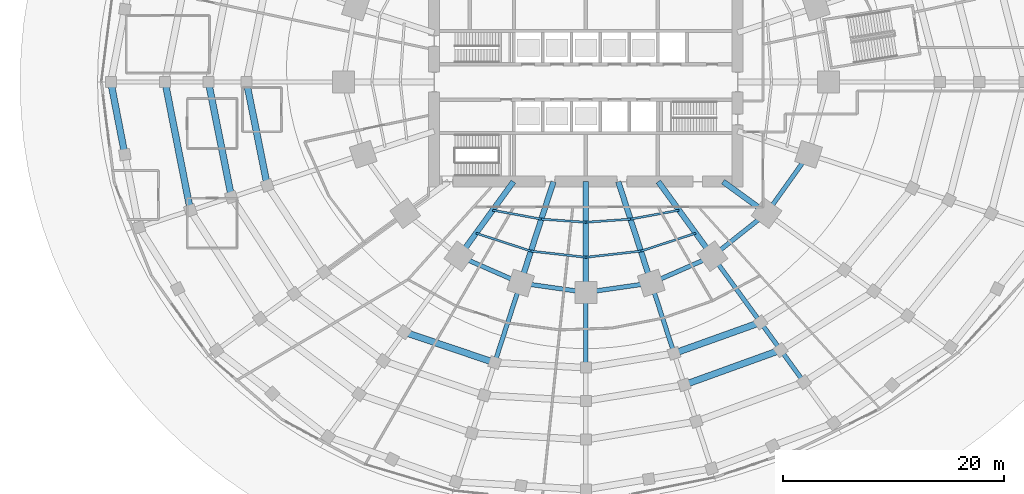
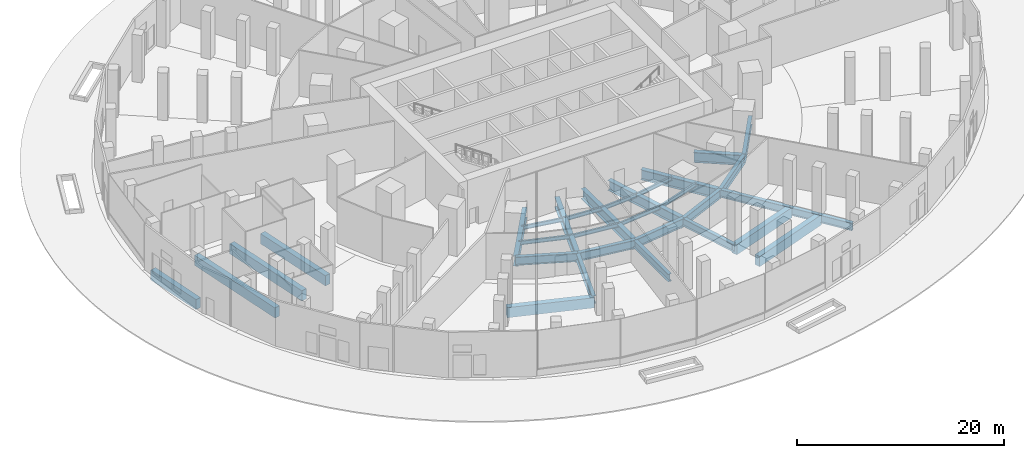
# One storey, part 5 of 23: 33 beams.
"""IFC4 building model written with IfcOpenShell, lengths in metres."""

import ifcopenshell
import ifcopenshell.guid

model = None  # the IFC model being written
_history = None  # IfcOwnerHistory: only IFC2X3 demands one
_inside = {}  # id of a spatial element -> (the spatial element, [elements in it])
_under = {}  # id of a project, library or spatial element -> (it, [spatial elements below it])
_declared = {}  # id of a project -> (the project, [libraries it declares])
_typed = {}  # id of a type object -> (the type object, [elements of that type])
_made_of = {}  # id of a material, layer set ... -> (it, [elements and type objects made of it])


def new_model(schema):
    """Start an empty IFC model of exactly this schema.

    Asked for "IFC4X3", IfcOpenShell would pick the latest addendum, in which some entities
    have other attributes; the version numbers below select the first issue.
    IFC2X3 requires an IfcOwnerHistory on every rooted entity: one is made here for all.
    """
    global model, _history
    if schema == "IFC4X3":
        model = ifcopenshell.file(schema_version=(4, 3, 0, 0))
    else:
        model = ifcopenshell.file(schema=schema)
    _inside.clear()
    _under.clear()
    _declared.clear()
    _typed.clear()
    _made_of.clear()
    _history = None
    if model.schema == "IFC2X3":
        org = make("IfcOrganization", Name="unknown")
        user = make(
            "IfcPersonAndOrganization",
            ThePerson=make("IfcPerson", FamilyName="unknown"),
            TheOrganization=org,
        )
        app = make(
            "IfcApplication",
            ApplicationDeveloper=org,
            Version="unknown",
            ApplicationFullName="unknown",
            ApplicationIdentifier="unknown",
        )
        _history = make(
            "IfcOwnerHistory",
            OwningUser=user,
            OwningApplication=app,
            ChangeAction="ADDED",
            CreationDate=0,
        )
    return model


def make(cls, **values):
    """One entity of the class cls with the attributes given. An attribute that is None is left unset."""
    return model.create_entity(
        cls, **{name: value for name, value in values.items() if value is not None}
    )


def rooted(cls, **values):
    """An entity with a GlobalId (a new one), such as an element, a storey or a relation."""
    return make(cls, GlobalId=ifcopenshell.guid.new(), OwnerHistory=_history, **values)


def si_unit(unit_type, name, prefix=None):
    """IfcSIUnit, for example si_unit("LENGTHUNIT", "METRE", prefix="MILLI")."""
    return make("IfcSIUnit", UnitType=unit_type, Prefix=prefix, Name=name)


def assignment(units):
    """IfcUnitAssignment: the units of a project."""
    return None if units is None else make("IfcUnitAssignment", Units=units)


def point(xyz):
    """IfcCartesianPoint."""
    return None if xyz is None else make("IfcCartesianPoint", Coordinates=xyz)


def direction(xyz):
    """IfcDirection."""
    return None if xyz is None else make("IfcDirection", DirectionRatios=xyz)


def frame(location, z_axis=None, x_axis=None):
    """IfcAxis2Placement3D, a coordinate frame: its origin and axes. An axis left out is left unset."""
    return make(
        "IfcAxis2Placement3D",
        Location=point(location),
        Axis=direction(z_axis),
        RefDirection=direction(x_axis),
    )


def frame_2d(location, x_axis=None):
    """IfcAxis2Placement2D, a coordinate frame in the plane: its origin and x axis."""
    return make(
        "IfcAxis2Placement2D", Location=point(location), RefDirection=direction(x_axis)
    )


def origin():
    """The frame at (0, 0, 0) with its axes left unset."""
    return frame((0.0, 0.0, 0.0))


def origin_2d():
    """The frame at (0, 0) in the plane with its x axis left unset."""
    return frame_2d((0.0, 0.0))


def place(relative_to, where):
    """IfcLocalPlacement: puts the frame where relative to a parent placement (None: the world)."""
    return make(
        "IfcLocalPlacement", PlacementRelTo=relative_to, RelativePlacement=where
    )


def context(
    kind, dimensions, precision=None, world=None, true_north=None, identifier=None
):
    """IfcGeometricRepresentationContext, for example the 3D "Model" context."""
    return make(
        "IfcGeometricRepresentationContext",
        ContextIdentifier=identifier,
        ContextType=kind,
        CoordinateSpaceDimension=dimensions,
        Precision=precision,
        WorldCoordinateSystem=world,
        TrueNorth=true_north,
    )


def subcontext(parent, identifier, kind, view, scale=None):
    """IfcGeometricRepresentationSubContext, for example "Body" below "Model"."""
    return make(
        "IfcGeometricRepresentationSubContext",
        ContextIdentifier=identifier,
        ContextType=kind,
        ParentContext=parent,
        TargetScale=scale,
        TargetView=view,
    )


def project(units=None, contexts=None):
    """IfcProject with its units and contexts."""
    return rooted(
        "IfcProject",
        Name="project",
        RepresentationContexts=contexts,
        UnitsInContext=assignment(units),
    )


def spatial(cls, under=None, at=None, **own):
    """A site, building, storey or space (cls), placed at a placement, below another one or the project."""
    s = rooted(cls, ObjectPlacement=at, **own)
    if under is not None:
        _under.setdefault(under.id(), (under, []))[1].append(s)
    return s


def profile(cls, at=None, kind="AREA", **sizes):
    """A parametric profile (cls). Its sizes go by their IFC names, for example OverallWidth=200.0."""
    return make(cls, ProfileType=kind, Position=at, **sizes)


def rectangle(**sizes):
    """IfcRectangleProfileDef."""
    return profile("IfcRectangleProfileDef", **sizes)


def i_section(**sizes):
    """IfcIShapeProfileDef."""
    return profile("IfcIShapeProfileDef", **sizes)


def extrude(swept, where, along, depth):
    """IfcExtrudedAreaSolid: the profile swept, set in the frame where, extruded along a direction by depth."""
    return make(
        "IfcExtrudedAreaSolid",
        SweptArea=swept,
        Position=where,
        ExtrudedDirection=direction(along),
        Depth=depth,
    )


def shape(context_of_items, identifier, shape_type, items):
    """IfcShapeRepresentation: the items that make up one representation, for example the "Body"."""
    return make(
        "IfcShapeRepresentation",
        ContextOfItems=context_of_items,
        RepresentationIdentifier=identifier,
        RepresentationType=shape_type,
        Items=items,
    )


def material(Name=None, Category=None):
    """IfcMaterial."""
    return make("IfcMaterial", Name=Name, Category=Category)


def material_profile(
    of_material, cross_section, Name=None, Category=None, Priority=None
):
    """IfcMaterialProfile: a cross section and its material."""
    return make(
        "IfcMaterialProfile",
        Name=Name,
        Material=of_material,
        Profile=cross_section,
        Priority=Priority,
        Category=Category,
    )


def profile_set(profiles, Name=None, composite=None):
    """IfcMaterialProfileSet."""
    return make(
        "IfcMaterialProfileSet",
        Name=Name,
        MaterialProfiles=profiles,
        CompositeProfile=composite,
    )


def made_of(thing, what):
    """Note that an element or type object is made of a material, layer set ...; save() writes the relation."""
    if what is not None:
        _made_of.setdefault(what.id(), (what, []))[1].append(thing)
    return thing


def type_object(cls, material=None, **own):
    """A type object (cls), such as IfcWallType, which elements share."""
    return made_of(rooted(cls, **own), material)


def element(
    cls,
    number,
    at=None,
    inside=None,
    cuts=None,
    type_object=None,
    material=None,
    context=None,
    identifier="Body",
    shape_type=None,
    held_by="IfcProductDefinitionShape",
    body=None,
    shapes=None,
    **own,
):
    """One element of the class cls, such as IfcWall. Its Tag is "e" and its number.

    at: its placement. inside: the storey or other place that contains it. cuts: it is an
    opening in that element (IfcRelVoidsElement). A single representation is given by context,
    identifier, shape_type and body (its items); several are given by shapes. held_by: the class
    of the entity that holds the representations. save() writes the other relations.
    """
    e = rooted(cls, Tag="e%d" % number, ObjectPlacement=at, **own)
    if body is not None:
        shapes = [shape(context, identifier, shape_type, body)]
    if shapes is not None:
        e.Representation = make(held_by, Representations=shapes)
    if inside is not None:
        _inside.setdefault(inside.id(), (inside, []))[1].append(e)
    if cuts is not None:
        rooted(
            "IfcRelVoidsElement", RelatingBuildingElement=cuts, RelatedOpeningElement=e
        )
    if type_object is not None:
        _typed.setdefault(type_object.id(), (type_object, []))[1].append(e)
    return made_of(e, material)


def aggregate(whole, parts):
    """IfcRelAggregates: a whole, such as a stair, and the parts it consists of."""
    return rooted("IfcRelAggregates", RelatingObject=whole, RelatedObjects=parts)


def save(model, path):
    """Write the relations noted so far, then the file.

    IfcRelAggregates (storeys below a building ...), IfcRelContainedInSpatialStructure (elements
    in a storey), IfcRelDefinesByType, IfcRelAssociatesMaterial and IfcRelDeclares: one each for
    every whole, place, type object, material and project.
    """
    for whole, parts in _under.values():
        aggregate(whole, parts)
    for where, things in _inside.values():
        rooted(
            "IfcRelContainedInSpatialStructure",
            RelatedElements=things,
            RelatingStructure=where,
        )
    for kind, things in _typed.values():
        rooted("IfcRelDefinesByType", RelatedObjects=things, RelatingType=kind)
    for what, things in _made_of.values():
        rooted("IfcRelAssociatesMaterial", RelatedObjects=things, RelatingMaterial=what)
    for by, libraries in _declared.values():
        rooted("IfcRelDeclares", RelatingContext=by, RelatedDefinitions=libraries)
    model.write(path)


model = new_model("IFC4")

# Units and contexts
model_context = context("Model", 3, precision=1e-05, world=origin(), true_north=direction((0.0, 1.0)))
body_context = subcontext(model_context, "Body", "Model", "MODEL_VIEW")
ifc_project = project(units=[si_unit("LENGTHUNIT", "METRE"), si_unit("AREAUNIT", "SQUARE_METRE"), si_unit("VOLUMEUNIT", "CUBIC_METRE"), si_unit("PLANEANGLEUNIT", "RADIAN"), si_unit("MASSUNIT", "GRAM", prefix="KILO")], contexts=[model_context])

# Site, building, storey
site_placement = place(None, origin())
site = spatial("IfcSite", under=ifc_project, at=site_placement, CompositionType="ELEMENT")
building_placement = place(site_placement, origin())
building = spatial("IfcBuilding", under=site, at=building_placement, Name="Marramba Exchange Tower", CompositionType="ELEMENT")
storey_placement = place(building_placement, origin())
storey = spatial("IfcBuildingStorey", under=building, at=storey_placement, Name="L00", CompositionType="ELEMENT", Elevation=0.0)

# Beams
ifc_material_1 = material(Name="Concrete N50", Category="concrete")
ifc_material_profile_1 = material_profile(ifc_material_1, rectangle(XDim=0.60009765625, YDim=1.199951171875, at=origin_2d()), Name="RC 600x1200")
ifc_profile_set_1 = profile_set([ifc_material_profile_1], Name="Concrete N50")
beam_type_1 = type_object("IfcBeamType", Name="Edge beam RC 600x1200 N50", PredefinedType="SPANDREL", material=ifc_profile_set_1)
beam_1_placement = place(storey_placement, frame((-42.89990234375, 0.0, -0.800048828125), z_axis=(0.189898017432, -0.981803821023, 0.0), x_axis=(0.981803821023, 0.189898017432, 0.0)))
element("IfcBeam", 1, at=beam_1_placement, inside=storey, type_object=beam_type_1, Name="Edge beam L00 P0C11 half 1", PredefinedType="SPANDREL", context=body_context, shape_type="SweptSolid", body=[
    extrude(rectangle(XDim=0.60009765625, YDim=1.199951171875, at=origin_2d()), origin(), (0.0, 0.0, 1.0), 6.678955078125),
])
beam_2_placement = place(storey_placement, frame((-38.0, 0.0, -0.800048828125), z_axis=(0.19344375153, -0.981111367274, 0.0), x_axis=(0.981111367274, 0.19344375153, 0.0)))
element("IfcBeam", 2, at=beam_2_placement, inside=storey, type_object=beam_type_1, Name="Edge beam L00 P1C11", PredefinedType="SPANDREL", context=body_context, shape_type="SweptSolid", body=[
    extrude(rectangle(XDim=0.60009765625, YDim=1.199951171875, at=origin_2d()), origin(), (0.0, 0.0, 1.0), 11.826904296875),
])
beam_3_placement = place(storey_placement, frame((-34.080078125, 0.0, -0.800048828125), z_axis=(0.195673363142, -0.980669126136, 0.0), x_axis=(0.980669126136, 0.195673363142, 0.0)))
element("IfcBeam", 3, at=beam_3_placement, inside=storey, type_object=beam_type_1, Name="Edge beam L00 P2C11", PredefinedType="SPANDREL", context=body_context, shape_type="SweptSolid", body=[
    extrude(rectangle(XDim=0.60009765625, YDim=1.199951171875, at=origin_2d()), origin(), (0.0, 0.0, 1.0), 10.604248046875),
])
beam_4_placement = place(storey_placement, frame((8.8857421875, -27.347412109375, -0.800048828125), z_axis=(0.940481976413, 0.339843569958, 0.0), x_axis=(-0.339843569958, 0.940481976413, 0.0)))
element("IfcBeam", 4, at=beam_4_placement, inside=storey, type_object=beam_type_1, Name="Edge beam L00 P2C17", PredefinedType="SPANDREL", context=body_context, shape_type="SweptSolid", body=[
    extrude(rectangle(XDim=0.60009765625, YDim=1.199951171875, at=origin_2d()), origin(), (0.0, 0.0, 1.0), 9.25),
])
beam_5_placement = place(storey_placement, frame((-30.64990234375, 0.0, -0.800048828125), z_axis=(0.197125420847, -0.980378278246, 0.0), x_axis=(0.980378278246, 0.197125420847, 0.0)))
element("IfcBeam", 5, at=beam_5_placement, inside=storey, type_object=beam_type_1, Name="Edge beam L00 P3C11", PredefinedType="SPANDREL", context=body_context, shape_type="SweptSolid", body=[
    extrude(rectangle(XDim=0.60009765625, YDim=1.199951171875, at=origin_2d()), origin(), (0.0, 0.0, 1.0), 9.53515625),
])
beam_6_placement = place(storey_placement, frame((-16.40869140625, -22.58447265625, -0.800048828125), z_axis=(0.947330534482, -0.320257487715, 0.0), x_axis=(0.320257487715, 0.947330534482, 0.0)))
element("IfcBeam", 6, at=beam_6_placement, inside=storey, type_object=beam_type_1, Name="Edge beam L00 P3C14", PredefinedType="SPANDREL", context=body_context, shape_type="SweptSolid", body=[
    extrude(rectangle(XDim=0.60009765625, YDim=1.199951171875, at=origin_2d()), origin(), (0.0, 0.0, 1.0), 8.627197265625),
])
beam_7_placement = place(storey_placement, frame((7.9619140625, -24.50390625, -0.800048828125), z_axis=(0.941347695699, 0.337438165895, 0.0), x_axis=(-0.337438165895, 0.941347695699, 0.0)))
element("IfcBeam", 7, at=beam_7_placement, inside=storey, type_object=beam_type_1, Name="Edge beam L00 P3C17", PredefinedType="SPANDREL", context=body_context, shape_type="SweptSolid", body=[
    extrude(rectangle(XDim=0.60009765625, YDim=1.199951171875, at=origin_2d()), origin(), (0.0, 0.0, 1.0), 8.29443359375),
])
ifc_material_2 = material(Name="Steel AS/NZS 3679.1 grade 300", Category="steel")
ifc_material_profile_2 = material_profile(ifc_material_2, i_section(OverallWidth=0.18994140625, OverallDepth=0.4541015625, WebThickness=0.008544921875, FlangeThickness=0.0126953125, FilletRadius=0.011474609375, at=origin_2d()), Name="460UB67.1")
ifc_profile_set_2 = profile_set([ifc_material_profile_2], Name="Steel AS/NZS 3679.1 grade 300")
beam_type_2 = type_object("IfcBeamType", Name="Floor joist 460UB67.1", PredefinedType="JOIST", material=ifc_profile_set_2)
beam_8_placement = place(storey_placement, frame((-8.41162109375, -11.57763671875, -0.427001953125), z_axis=(0.983455754421, -0.181148500119, 0.0), x_axis=(0.181148500119, 0.983455754421, 0.0)))
element("IfcBeam", 8, at=beam_8_placement, inside=storey, type_object=beam_type_2, Name="Joist L00 bay 14 row 1", PredefinedType="JOIST", context=body_context, shape_type="SweptSolid", body=[
    extrude(i_section(OverallWidth=0.18994140625, OverallDepth=0.4541015625, WebThickness=0.008544921875, FlangeThickness=0.0126953125, FilletRadius=0.011474609375, at=origin_2d()), origin(), (0.0, 0.0, 1.0), 4.4609375),
])
beam_9_placement = place(storey_placement, frame((-9.9208984375, -13.655029296875, -0.427001953125), z_axis=(0.950764024931, -0.309915744834, 0.0), x_axis=(0.309915744834, 0.950764024931, 0.0)))
element("IfcBeam", 9, at=beam_9_placement, inside=storey, type_object=beam_type_2, Name="Joist L00 bay 14 row 2", PredefinedType="JOIST", context=body_context, shape_type="SweptSolid", body=[
    extrude(i_section(OverallWidth=0.18994140625, OverallDepth=0.4541015625, WebThickness=0.008544921875, FlangeThickness=0.0126953125, FilletRadius=0.011474609375, at=origin_2d()), origin(), (0.0, 0.0, 1.0), 5.2158203125),
])
beam_10_placement = place(storey_placement, frame((-4.0244140625, -12.3857421875, -0.427001953125), z_axis=(0.99759625901, -0.069294328838, 0.0), x_axis=(0.069294328838, 0.99759625901, 0.0)))
element("IfcBeam", 10, at=beam_10_placement, inside=storey, type_object=beam_type_2, Name="Joist L00 bay 15 row 1", PredefinedType="JOIST", context=body_context, shape_type="SweptSolid", body=[
    extrude(i_section(OverallWidth=0.18994140625, OverallDepth=0.4541015625, WebThickness=0.008544921875, FlangeThickness=0.0126953125, FilletRadius=0.011474609375, at=origin_2d()), origin(), (0.0, 0.0, 1.0), 4.0341796875),
])
beam_11_placement = place(storey_placement, frame((-4.9619140625, -15.271484375, -0.427001953125), z_axis=(0.993712018573, -0.111966174106, 0.0), x_axis=(0.111966174106, 0.993712018573, 0.0)))
element("IfcBeam", 11, at=beam_11_placement, inside=storey, type_object=beam_type_2, Name="Joist L00 bay 15 row 2", PredefinedType="JOIST", context=body_context, shape_type="SweptSolid", body=[
    extrude(i_section(OverallWidth=0.18994140625, OverallDepth=0.4541015625, WebThickness=0.008544921875, FlangeThickness=0.0126953125, FilletRadius=0.011474609375, at=origin_2d()), origin(), (0.0, 0.0, 1.0), 4.993408203125),
])
beam_12_placement = place(storey_placement, frame((0.0, -12.665283203125, -0.427001953125), z_axis=(0.99759625901, 0.069294328838, 0.0), x_axis=(-0.069294328838, 0.99759625901, 0.0)))
element("IfcBeam", 12, at=beam_12_placement, inside=storey, type_object=beam_type_2, Name="Joist L00 bay 16 row 1", PredefinedType="JOIST", context=body_context, shape_type="SweptSolid", body=[
    extrude(i_section(OverallWidth=0.18994140625, OverallDepth=0.4541015625, WebThickness=0.008544921875, FlangeThickness=0.0126953125, FilletRadius=0.011474609375, at=origin_2d()), origin(), (0.0, 0.0, 1.0), 4.0341796875),
])
beam_13_placement = place(storey_placement, frame((0.0, -15.83056640625, -0.427001953125), z_axis=(0.993712018573, 0.111966174106, 0.0), x_axis=(-0.111966174106, 0.993712018573, 0.0)))
element("IfcBeam", 13, at=beam_13_placement, inside=storey, type_object=beam_type_2, Name="Joist L00 bay 16 row 2", PredefinedType="JOIST", context=body_context, shape_type="SweptSolid", body=[
    extrude(i_section(OverallWidth=0.18994140625, OverallDepth=0.4541015625, WebThickness=0.008544921875, FlangeThickness=0.0126953125, FilletRadius=0.011474609375, at=origin_2d()), origin(), (0.0, 0.0, 1.0), 4.993408203125),
])
beam_14_placement = place(storey_placement, frame((4.0244140625, -12.3857421875, -0.427001953125), z_axis=(0.983455754421, 0.181148500119, 0.0), x_axis=(-0.181148500119, 0.983455754421, 0.0)))
element("IfcBeam", 14, at=beam_14_placement, inside=storey, type_object=beam_type_2, Name="Joist L00 bay 17 row 1", PredefinedType="JOIST", context=body_context, shape_type="SweptSolid", body=[
    extrude(i_section(OverallWidth=0.18994140625, OverallDepth=0.4541015625, WebThickness=0.008544921875, FlangeThickness=0.0126953125, FilletRadius=0.011474609375, at=origin_2d()), origin(), (0.0, 0.0, 1.0), 4.4609375),
])
beam_15_placement = place(storey_placement, frame((4.9619140625, -15.271484375, -0.427001953125), z_axis=(0.950764024931, 0.309915744834, 0.0), x_axis=(-0.309915744834, 0.950764024931, 0.0)))
element("IfcBeam", 15, at=beam_15_placement, inside=storey, type_object=beam_type_2, Name="Joist L00 bay 17 row 2", PredefinedType="JOIST", context=body_context, shape_type="SweptSolid", body=[
    extrude(i_section(OverallWidth=0.18994140625, OverallDepth=0.4541015625, WebThickness=0.008544921875, FlangeThickness=0.0126953125, FilletRadius=0.011474609375, at=origin_2d()), origin(), (0.0, 0.0, 1.0), 5.2158203125),
])
ifc_material_3 = material(Name="Steel AS/NZS 3679.2 grade 300", Category="steel")
ifc_material_profile_3 = material_profile(ifc_material_3, i_section(OverallWidth=0.5, OverallDepth=1.199951171875, WebThickness=0.01611328125, FlangeThickness=0.0400390625, at=origin_2d()), Name="1200WB455")
ifc_profile_set_3 = profile_set([ifc_material_profile_3], Name="Steel AS/NZS 3679.2 grade 300")
beam_type_3 = type_object("IfcBeamType", Name="Radial girder 1200WB455", PredefinedType="BEAM", material=ifc_profile_set_3)
beam_16_placement = place(storey_placement, frame((-6.538818359375, -9.0, -0.800048828125), z_axis=(-0.587787877172, -0.809015087282, 0.0), x_axis=(0.809015087282, -0.587787877172, 0.0)))
element("IfcBeam", 16, at=beam_16_placement, inside=storey, type_object=beam_type_3, Name="Radial girder L00 TC14", PredefinedType="BEAM", context=body_context, shape_type="SweptSolid", body=[
    extrude(i_section(OverallWidth=0.5, OverallDepth=1.199951171875, WebThickness=0.01611328125, FlangeThickness=0.0400390625, at=origin_2d()), origin(), (0.0, 0.0, 1.0), 8.322021484375),
])
beam_17_placement = place(storey_placement, frame((-2.92431640625, -9.0, -0.800048828125), z_axis=(-0.309022428985, -0.951054750466, 0.0), x_axis=(0.951054750466, -0.309022428985, 0.0)))
element("IfcBeam", 17, at=beam_17_placement, inside=storey, type_object=beam_type_3, Name="Radial girder L00 TC15", PredefinedType="BEAM", context=body_context, shape_type="SweptSolid", body=[
    extrude(i_section(OverallWidth=0.5, OverallDepth=1.199951171875, WebThickness=0.01611328125, FlangeThickness=0.0400390625, at=origin_2d()), origin(), (0.0, 0.0, 1.0), 9.628173828125),
])
beam_18_placement = place(storey_placement, frame((0.0, -9.0, -0.800048828125), z_axis=(0.0, -1.0, 0.0), x_axis=(1.0, 0.0, 0.0)))
element("IfcBeam", 18, at=beam_18_placement, inside=storey, type_object=beam_type_3, Name="Radial girder L00 TC16", PredefinedType="BEAM", context=body_context, shape_type="SweptSolid", body=[
    extrude(i_section(OverallWidth=0.5, OverallDepth=1.199951171875, WebThickness=0.01611328125, FlangeThickness=0.0400390625, at=origin_2d()), origin(), (0.0, 0.0, 1.0), 9.99609375),
])
beam_19_placement = place(storey_placement, frame((2.92431640625, -9.0, -0.800048828125), z_axis=(0.309022428985, -0.951054750466, 0.0), x_axis=(0.951054750466, 0.309022428985, 0.0)))
element("IfcBeam", 19, at=beam_19_placement, inside=storey, type_object=beam_type_3, Name="Radial girder L00 TC17", PredefinedType="BEAM", context=body_context, shape_type="SweptSolid", body=[
    extrude(i_section(OverallWidth=0.5, OverallDepth=1.199951171875, WebThickness=0.01611328125, FlangeThickness=0.0400390625, at=origin_2d()), origin(), (0.0, 0.0, 1.0), 9.628173828125),
])
beam_20_placement = place(storey_placement, frame((6.538818359375, -9.0, -0.800048828125), z_axis=(0.587787877172, -0.809015087282, 0.0), x_axis=(0.809015087282, 0.587787877172, 0.0)))
element("IfcBeam", 20, at=beam_20_placement, inside=storey, type_object=beam_type_3, Name="Radial girder L00 TC18", PredefinedType="BEAM", context=body_context, shape_type="SweptSolid", body=[
    extrude(i_section(OverallWidth=0.5, OverallDepth=1.199951171875, WebThickness=0.01611328125, FlangeThickness=0.0400390625, at=origin_2d()), origin(), (0.0, 0.0, 1.0), 8.322021484375),
])
beam_21_placement = place(storey_placement, frame((12.387451171875, -9.0, -0.800048828125), z_axis=(0.809025189606, -0.58777397236, 0.0), x_axis=(0.58777397236, 0.809025189606, 0.0)))
element("IfcBeam", 21, at=beam_21_placement, inside=storey, type_object=beam_type_3, Name="Radial girder L00 TC19", PredefinedType="BEAM", context=body_context, shape_type="SweptSolid", body=[
    extrude(i_section(OverallWidth=0.5, OverallDepth=1.199951171875, WebThickness=0.01611328125, FlangeThickness=0.0400390625, at=origin_2d()), origin(), (0.0, 0.0, 1.0), 4.855224609375),
])
ifc_material_profile_4 = material_profile(ifc_material_3, i_section(OverallWidth=0.39990234375, OverallDepth=0.89990234375, WebThickness=0.01611328125, FlangeThickness=0.031982421875, at=origin_2d()), Name="900WB282")
ifc_profile_set_4 = profile_set([ifc_material_profile_4], Name="Steel AS/NZS 3679.2 grade 300")
beam_type_4 = type_object("IfcBeamType", Name="Radial girder 900WB282", PredefinedType="BEAM", material=ifc_profile_set_4)
beam_22_placement = place(storey_placement, frame((19.691650390625, -27.103271484375, -0.64990234375), z_axis=(-0.587766567315, 0.809030569476, 0.0), x_axis=(-0.809030569476, -0.587766567315, 0.0)))
element("IfcBeam", 22, at=beam_22_placement, inside=storey, type_object=beam_type_4, Name="Radial girder L00 P1C18", PredefinedType="BEAM", context=body_context, shape_type="SweptSolid", body=[
    extrude(i_section(OverallWidth=0.39990234375, OverallDepth=0.89990234375, WebThickness=0.01611328125, FlangeThickness=0.031982421875, at=origin_2d()), origin(), (0.0, 0.0, 1.0), 3.583740234375),
])
beam_23_placement = place(storey_placement, frame((17.585205078125, -24.203857421875, -0.64990234375), z_axis=(-0.587776831065, 0.809023112688, 0.0), x_axis=(-0.809023112688, -0.587776831065, 0.0)))
element("IfcBeam", 23, at=beam_23_placement, inside=storey, type_object=beam_type_4, Name="Radial girder L00 P2C18", PredefinedType="BEAM", context=body_context, shape_type="SweptSolid", body=[
    extrude(i_section(OverallWidth=0.39990234375, OverallDepth=0.89990234375, WebThickness=0.01611328125, FlangeThickness=0.031982421875, at=origin_2d()), origin(), (0.0, 0.0, 1.0), 3.088623046875),
])
beam_24_placement = place(storey_placement, frame((-8.23583984375, -25.347412109375, -0.64990234375), z_axis=(0.309001370997, 0.951061592497, 0.0), x_axis=(-0.951061592497, 0.309001370997, 0.0)))
element("IfcBeam", 24, at=beam_24_placement, inside=storey, type_object=beam_type_4, Name="Radial girder L00 P3C15", PredefinedType="BEAM", context=body_context, shape_type="SweptSolid", body=[
    extrude(i_section(OverallWidth=0.39990234375, OverallDepth=0.89990234375, WebThickness=0.01611328125, FlangeThickness=0.031982421875, at=origin_2d()), origin(), (0.0, 0.0, 1.0), 7.560546875),
])
beam_25_placement = place(storey_placement, frame((0.0, -25.800048828125, -0.64990234375), z_axis=(0.0, 1.0, 0.0), x_axis=(-1.0, 0.0, 0.0)))
element("IfcBeam", 25, at=beam_25_placement, inside=storey, type_object=beam_type_4, Name="Radial girder L00 P3C16", PredefinedType="BEAM", context=body_context, shape_type="SweptSolid", body=[
    extrude(i_section(OverallWidth=0.39990234375, OverallDepth=0.89990234375, WebThickness=0.01611328125, FlangeThickness=0.031982421875, at=origin_2d()), origin(), (0.0, 0.0, 1.0), 6.803955078125),
])
beam_26_placement = place(storey_placement, frame((7.9619140625, -24.50390625, -0.64990234375), z_axis=(-0.309019067689, 0.951055842632, 0.0), x_axis=(-0.951055842632, -0.309019067689, 0.0)))
element("IfcBeam", 26, at=beam_26_placement, inside=storey, type_object=beam_type_4, Name="Radial girder L00 P3C17", PredefinedType="BEAM", context=body_context, shape_type="SweptSolid", body=[
    extrude(i_section(OverallWidth=0.39990234375, OverallDepth=0.89990234375, WebThickness=0.01611328125, FlangeThickness=0.031982421875, at=origin_2d()), origin(), (0.0, 0.0, 1.0), 6.673583984375),
])
beam_27_placement = place(storey_placement, frame((15.769775390625, -21.705078125, -0.64990234375), z_axis=(-0.587798025762, 0.809007713752, 0.0), x_axis=(-0.809007713752, -0.587798025762, 0.0)))
element("IfcBeam", 27, at=beam_27_placement, inside=storey, type_object=beam_type_4, Name="Radial girder L00 P3C18", PredefinedType="BEAM", context=body_context, shape_type="SweptSolid", body=[
    extrude(i_section(OverallWidth=0.39990234375, OverallDepth=0.89990234375, WebThickness=0.01611328125, FlangeThickness=0.031982421875, at=origin_2d()), origin(), (0.0, 0.0, 1.0), 7.38232421875),
])
ifc_material_profile_5 = material_profile(ifc_material_3, i_section(OverallWidth=0.39990234375, OverallDepth=1.0, WebThickness=0.01611328125, FlangeThickness=0.031982421875, at=origin_2d()), Name="1000WB322")
ifc_profile_set_5 = profile_set([ifc_material_profile_5], Name="Steel AS/NZS 3679.2 grade 300")
beam_type_5 = type_object("IfcBeamType", Name="Ring beam 1000WB322", PredefinedType="SPANDREL", material=ifc_profile_set_5)
beam_28_placement = place(storey_placement, frame((-11.430419921875, -15.732666015625, -0.699951171875), z_axis=(0.915876892158, -0.4014592363, 0.0), x_axis=(0.4014592363, 0.915876892158, 0.0)))
element("IfcBeam", 28, at=beam_28_placement, inside=storey, type_object=beam_type_5, Name="Ring beam L00 TC14-TC15", PredefinedType="SPANDREL", context=body_context, shape_type="SweptSolid", body=[
    extrude(i_section(OverallWidth=0.39990234375, OverallDepth=1.0, WebThickness=0.01611328125, FlangeThickness=0.031982421875, at=origin_2d()), origin(), (0.0, 0.0, 1.0), 6.038818359375),
])
for number, where, z_axis, x_axis, name in (
    (29, (-5.899658203125, -18.156982421875, -0.699951171875), (0.990036163016, -0.140813337152, 0.0), (0.140813337152, 0.990036163016, 0.0), "Ring beam L00 TC15-TC16"),
    (30, (0.0, -18.99609375, -0.699951171875), (0.990036163016, 0.140813337152, 0.0), (-0.140813337152, 0.990036163016, 0.0), "Ring beam L00 TC16-TC17"),
):
    element("IfcBeam", number, at=place(storey_placement, frame(where, z_axis=z_axis, x_axis=x_axis)), inside=storey, type_object=beam_type_5, Name=name, PredefinedType="SPANDREL", context=body_context, shape_type="SweptSolid", body=[
        extrude(i_section(OverallWidth=0.39990234375, OverallDepth=1.0, WebThickness=0.01611328125, FlangeThickness=0.031982421875, at=origin_2d()), origin(), (0.0, 0.0, 1.0), 5.958984375),
    ])
beam_29_placement = place(storey_placement, frame((5.899658203125, -18.156982421875, -0.699951171875), z_axis=(0.915876892158, 0.4014592363, 0.0), x_axis=(-0.4014592363, 0.915876892158, 0.0)))
element("IfcBeam", 31, at=beam_29_placement, inside=storey, type_object=beam_type_5, Name="Ring beam L00 TC17-TC18", PredefinedType="SPANDREL", context=body_context, shape_type="SweptSolid", body=[
    extrude(i_section(OverallWidth=0.39990234375, OverallDepth=1.0, WebThickness=0.01611328125, FlangeThickness=0.031982421875, at=origin_2d()), origin(), (0.0, 0.0, 1.0), 6.038818359375),
])
beam_30_placement = place(storey_placement, frame((11.430419921875, -15.732666015625, -0.699951171875), z_axis=(0.783139438128, 0.621846138887, 0.0), x_axis=(-0.621846138887, 0.783139438128, 0.0)))
element("IfcBeam", 32, at=beam_30_placement, inside=storey, type_object=beam_type_5, Name="Ring beam L00 TC18-TC19", PredefinedType="SPANDREL", context=body_context, shape_type="SweptSolid", body=[
    extrude(i_section(OverallWidth=0.39990234375, OverallDepth=1.0, WebThickness=0.01611328125, FlangeThickness=0.031982421875, at=origin_2d()), origin(), (0.0, 0.0, 1.0), 6.23779296875),
])
beam_31_placement = place(storey_placement, frame((16.3154296875, -11.853759765625, -0.699951171875), z_axis=(0.580637181111, 0.814162430914, 0.0), x_axis=(-0.814162430914, 0.580637181111, 0.0)))
element("IfcBeam", 33, at=beam_31_placement, inside=storey, type_object=beam_type_5, Name="Ring beam L00 TC19-TC20", PredefinedType="SPANDREL", context=body_context, shape_type="SweptSolid", body=[
    extrude(i_section(OverallWidth=0.39990234375, OverallDepth=1.0, WebThickness=0.01611328125, FlangeThickness=0.031982421875, at=origin_2d()), origin(), (0.0, 0.0, 1.0), 6.5341796875),
])

save(model, "model.ifc")
